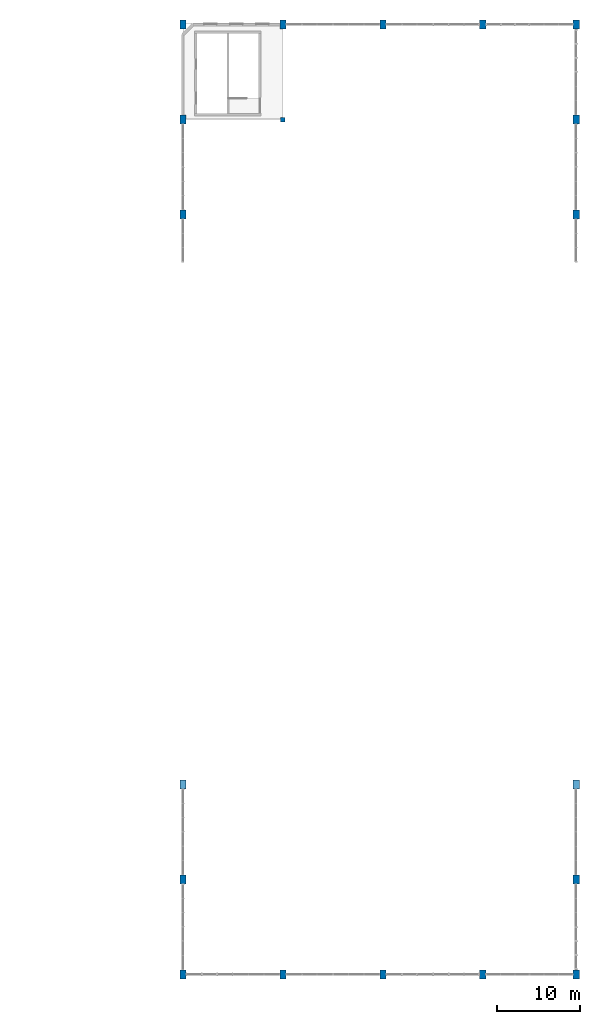
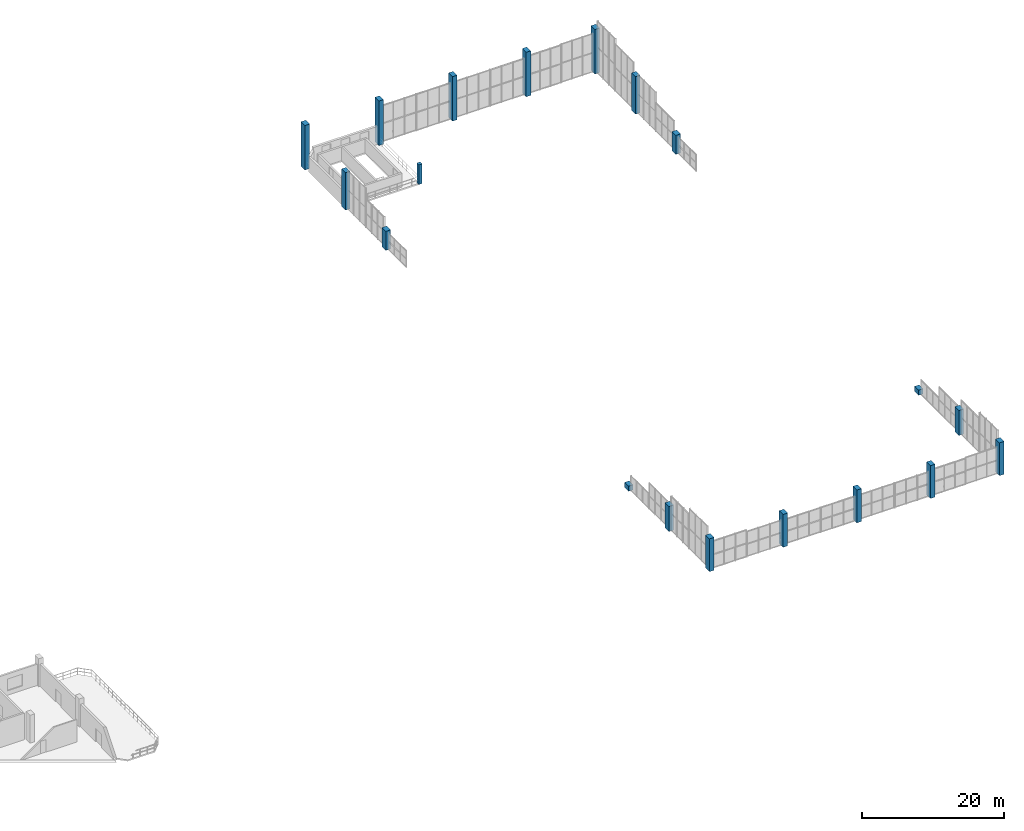
# One storey, part 3 of 28: 19 columns.
"""IFC4 building model written with IfcOpenShell, lengths in metres."""

import ifcopenshell
import ifcopenshell.guid

model = None  # the IFC model being written
_history = None  # IfcOwnerHistory: only IFC2X3 demands one
_inside = {}  # id of a spatial element -> (the spatial element, [elements in it])
_under = {}  # id of a project, library or spatial element -> (it, [spatial elements below it])
_declared = {}  # id of a project -> (the project, [libraries it declares])
_typed = {}  # id of a type object -> (the type object, [elements of that type])
_made_of = {}  # id of a material, layer set ... -> (it, [elements and type objects made of it])


def new_model(schema):
    """Start an empty IFC model of exactly this schema.

    Asked for "IFC4X3", IfcOpenShell would pick the latest addendum, in which some entities
    have other attributes; the version numbers below select the first issue.
    IFC2X3 requires an IfcOwnerHistory on every rooted entity: one is made here for all.
    """
    global model, _history
    if schema == "IFC4X3":
        model = ifcopenshell.file(schema_version=(4, 3, 0, 0))
    else:
        model = ifcopenshell.file(schema=schema)
    _inside.clear()
    _under.clear()
    _declared.clear()
    _typed.clear()
    _made_of.clear()
    _history = None
    if model.schema == "IFC2X3":
        org = make("IfcOrganization", Name="unknown")
        user = make(
            "IfcPersonAndOrganization",
            ThePerson=make("IfcPerson", FamilyName="unknown"),
            TheOrganization=org,
        )
        app = make(
            "IfcApplication",
            ApplicationDeveloper=org,
            Version="unknown",
            ApplicationFullName="unknown",
            ApplicationIdentifier="unknown",
        )
        _history = make(
            "IfcOwnerHistory",
            OwningUser=user,
            OwningApplication=app,
            ChangeAction="ADDED",
            CreationDate=0,
        )
    return model


def make(cls, **values):
    """One entity of the class cls with the attributes given. An attribute that is None is left unset."""
    return model.create_entity(
        cls, **{name: value for name, value in values.items() if value is not None}
    )


def rooted(cls, **values):
    """An entity with a GlobalId (a new one), such as an element, a storey or a relation."""
    return make(cls, GlobalId=ifcopenshell.guid.new(), OwnerHistory=_history, **values)


def si_unit(unit_type, name, prefix=None):
    """IfcSIUnit, for example si_unit("LENGTHUNIT", "METRE", prefix="MILLI")."""
    return make("IfcSIUnit", UnitType=unit_type, Prefix=prefix, Name=name)


def assignment(units):
    """IfcUnitAssignment: the units of a project."""
    return None if units is None else make("IfcUnitAssignment", Units=units)


def point(xyz):
    """IfcCartesianPoint."""
    return None if xyz is None else make("IfcCartesianPoint", Coordinates=xyz)


def direction(xyz):
    """IfcDirection."""
    return None if xyz is None else make("IfcDirection", DirectionRatios=xyz)


def frame(location, z_axis=None, x_axis=None):
    """IfcAxis2Placement3D, a coordinate frame: its origin and axes. An axis left out is left unset."""
    return make(
        "IfcAxis2Placement3D",
        Location=point(location),
        Axis=direction(z_axis),
        RefDirection=direction(x_axis),
    )


def frame_2d(location, x_axis=None):
    """IfcAxis2Placement2D, a coordinate frame in the plane: its origin and x axis."""
    return make(
        "IfcAxis2Placement2D", Location=point(location), RefDirection=direction(x_axis)
    )


def origin():
    """The frame at (0, 0, 0) with its axes left unset."""
    return frame((0.0, 0.0, 0.0))


def origin_2d():
    """The frame at (0, 0) in the plane with its x axis left unset."""
    return frame_2d((0.0, 0.0))


def place(relative_to, where):
    """IfcLocalPlacement: puts the frame where relative to a parent placement (None: the world)."""
    return make(
        "IfcLocalPlacement", PlacementRelTo=relative_to, RelativePlacement=where
    )


def context(
    kind, dimensions, precision=None, world=None, true_north=None, identifier=None
):
    """IfcGeometricRepresentationContext, for example the 3D "Model" context."""
    return make(
        "IfcGeometricRepresentationContext",
        ContextIdentifier=identifier,
        ContextType=kind,
        CoordinateSpaceDimension=dimensions,
        Precision=precision,
        WorldCoordinateSystem=world,
        TrueNorth=true_north,
    )


def subcontext(parent, identifier, kind, view, scale=None):
    """IfcGeometricRepresentationSubContext, for example "Body" below "Model"."""
    return make(
        "IfcGeometricRepresentationSubContext",
        ContextIdentifier=identifier,
        ContextType=kind,
        ParentContext=parent,
        TargetScale=scale,
        TargetView=view,
    )


def project(units=None, contexts=None):
    """IfcProject with its units and contexts."""
    return rooted(
        "IfcProject",
        Name="project",
        RepresentationContexts=contexts,
        UnitsInContext=assignment(units),
    )


def spatial(cls, under=None, at=None, **own):
    """A site, building, storey or space (cls), placed at a placement, below another one or the project."""
    s = rooted(cls, ObjectPlacement=at, **own)
    if under is not None:
        _under.setdefault(under.id(), (under, []))[1].append(s)
    return s


def profile(cls, at=None, kind="AREA", **sizes):
    """A parametric profile (cls). Its sizes go by their IFC names, for example OverallWidth=200.0."""
    return make(cls, ProfileType=kind, Position=at, **sizes)


def rectangle(**sizes):
    """IfcRectangleProfileDef."""
    return profile("IfcRectangleProfileDef", **sizes)


def extrude(swept, where, along, depth):
    """IfcExtrudedAreaSolid: the profile swept, set in the frame where, extruded along a direction by depth."""
    return make(
        "IfcExtrudedAreaSolid",
        SweptArea=swept,
        Position=where,
        ExtrudedDirection=direction(along),
        Depth=depth,
    )


def shape(context_of_items, identifier, shape_type, items):
    """IfcShapeRepresentation: the items that make up one representation, for example the "Body"."""
    return make(
        "IfcShapeRepresentation",
        ContextOfItems=context_of_items,
        RepresentationIdentifier=identifier,
        RepresentationType=shape_type,
        Items=items,
    )


def material(Name=None, Category=None):
    """IfcMaterial."""
    return make("IfcMaterial", Name=Name, Category=Category)


def material_profile(
    of_material, cross_section, Name=None, Category=None, Priority=None
):
    """IfcMaterialProfile: a cross section and its material."""
    return make(
        "IfcMaterialProfile",
        Name=Name,
        Material=of_material,
        Profile=cross_section,
        Priority=Priority,
        Category=Category,
    )


def profile_set(profiles, Name=None, composite=None):
    """IfcMaterialProfileSet."""
    return make(
        "IfcMaterialProfileSet",
        Name=Name,
        MaterialProfiles=profiles,
        CompositeProfile=composite,
    )


def made_of(thing, what):
    """Note that an element or type object is made of a material, layer set ...; save() writes the relation."""
    if what is not None:
        _made_of.setdefault(what.id(), (what, []))[1].append(thing)
    return thing


def type_object(cls, material=None, **own):
    """A type object (cls), such as IfcWallType, which elements share."""
    return made_of(rooted(cls, **own), material)


def element(
    cls,
    number,
    at=None,
    inside=None,
    cuts=None,
    type_object=None,
    material=None,
    context=None,
    identifier="Body",
    shape_type=None,
    held_by="IfcProductDefinitionShape",
    body=None,
    shapes=None,
    **own,
):
    """One element of the class cls, such as IfcWall. Its Tag is "e" and its number.

    at: its placement. inside: the storey or other place that contains it. cuts: it is an
    opening in that element (IfcRelVoidsElement). A single representation is given by context,
    identifier, shape_type and body (its items); several are given by shapes. held_by: the class
    of the entity that holds the representations. save() writes the other relations.
    """
    e = rooted(cls, Tag="e%d" % number, ObjectPlacement=at, **own)
    if body is not None:
        shapes = [shape(context, identifier, shape_type, body)]
    if shapes is not None:
        e.Representation = make(held_by, Representations=shapes)
    if inside is not None:
        _inside.setdefault(inside.id(), (inside, []))[1].append(e)
    if cuts is not None:
        rooted(
            "IfcRelVoidsElement", RelatingBuildingElement=cuts, RelatedOpeningElement=e
        )
    if type_object is not None:
        _typed.setdefault(type_object.id(), (type_object, []))[1].append(e)
    return made_of(e, material)


def aggregate(whole, parts):
    """IfcRelAggregates: a whole, such as a stair, and the parts it consists of."""
    return rooted("IfcRelAggregates", RelatingObject=whole, RelatedObjects=parts)


def save(model, path):
    """Write the relations noted so far, then the file.

    IfcRelAggregates (storeys below a building ...), IfcRelContainedInSpatialStructure (elements
    in a storey), IfcRelDefinesByType, IfcRelAssociatesMaterial and IfcRelDeclares: one each for
    every whole, place, type object, material and project.
    """
    for whole, parts in _under.values():
        aggregate(whole, parts)
    for where, things in _inside.values():
        rooted(
            "IfcRelContainedInSpatialStructure",
            RelatedElements=things,
            RelatingStructure=where,
        )
    for kind, things in _typed.values():
        rooted("IfcRelDefinesByType", RelatedObjects=things, RelatingType=kind)
    for what, things in _made_of.values():
        rooted("IfcRelAssociatesMaterial", RelatedObjects=things, RelatingMaterial=what)
    for by, libraries in _declared.values():
        rooted("IfcRelDeclares", RelatingContext=by, RelatedDefinitions=libraries)
    model.write(path)


model = new_model("IFC4")

# Units and contexts
model_context = context("Model", 3, precision=1e-05, world=origin(), true_north=direction((0.0, 1.0)))
body_context = subcontext(model_context, "Body", "Model", "MODEL_VIEW")
ifc_project = project(units=[si_unit("LENGTHUNIT", "METRE"), si_unit("AREAUNIT", "SQUARE_METRE"), si_unit("VOLUMEUNIT", "CUBIC_METRE"), si_unit("PLANEANGLEUNIT", "RADIAN"), si_unit("MASSUNIT", "GRAM", prefix="KILO"), si_unit("POWERUNIT", "WATT"), si_unit("THERMODYNAMICTEMPERATUREUNIT", "KELVIN")], contexts=[model_context])

# Site, building, storey
site_placement = place(None, origin())
site = spatial("IfcSite", under=ifc_project, at=site_placement, CompositionType="ELEMENT")
building_placement = place(site_placement, origin())
building = spatial("IfcBuilding", under=site, at=building_placement, Name="Kelmbourne Parkland Aquatics Centre", CompositionType="ELEMENT")
storey_placement = place(building_placement, frame((0.0, 0.0, 19.199951171875)))
storey = spatial("IfcBuildingStorey", under=building, at=storey_placement, Name="L04", CompositionType="ELEMENT", Elevation=19.199951171875)

# Columns
ifc_material = material(Name="Concrete C40/50", Category="concrete")
ifc_material_profile_1 = material_profile(ifc_material, rectangle(XDim=0.75, YDim=1.10009765625, at=origin_2d()), Name="RC 750x1100")
ifc_profile_set_1 = profile_set([ifc_material_profile_1], Name="Concrete C40/50")
column_type_1 = type_object("IfcColumnType", Name="COL-C03", PredefinedType="COLUMN", material=ifc_profile_set_1)
column_1_placement = place(storey_placement, frame((128.0, 0.800048828125, 0.0), z_axis=(0.0, 0.0, 1.0), x_axis=(1.0, 0.0, 0.0)))
element("IfcColumn", 1, at=column_1_placement, inside=storey, type_object=column_type_1, Name="Structural column P-01 (L04)", PredefinedType="COLUMN", context=body_context, shape_type="SweptSolid", body=[
    extrude(rectangle(XDim=0.75, YDim=1.10009765625, at=origin_2d()), origin(), (0.0, 0.0, 1.0), 5.650146484375),
])
column_2_placement = place(storey_placement, frame((128.0, 12.199951171875, 0.0), z_axis=(0.0, 0.0, 1.0), x_axis=(1.0, 0.0, 0.0)))
element("IfcColumn", 2, at=column_2_placement, inside=storey, type_object=column_type_1, Name="Structural column P-03 (L04)", PredefinedType="COLUMN", context=body_context, shape_type="SweptSolid", body=[
    extrude(rectangle(XDim=0.75, YDim=1.10009765625, at=origin_2d()), origin(), (0.0, 0.0, 1.0), 4.3193359375),
])
column_3_placement = place(storey_placement, frame((128.0, 23.60009765625, 0.0), z_axis=(0.0, 0.0, 1.0), x_axis=(1.0, 0.0, 0.0)))
element("IfcColumn", 3, at=column_3_placement, inside=storey, type_object=column_type_1, Name="Structural column P-04 (L04)", PredefinedType="COLUMN", context=body_context, shape_type="SweptSolid", body=[
    extrude(rectangle(XDim=0.75, YDim=1.10009765625, at=origin_2d()), origin(), (0.0, 0.0, 1.0), 0.907470703125),
])
column_4_placement = place(storey_placement, frame((128.0, 92.0, 0.0), z_axis=(0.0, 0.0, 1.0), x_axis=(1.0, 0.0, 0.0)))
element("IfcColumn", 4, at=column_4_placement, inside=storey, type_object=column_type_1, Name="Structural column P-12 (L04)", PredefinedType="COLUMN", context=body_context, shape_type="SweptSolid", body=[
    extrude(rectangle(XDim=0.75, YDim=1.10009765625, at=origin_2d()), origin(), (0.0, 0.0, 1.0), 3.26708984375),
])
column_5_placement = place(storey_placement, frame((128.0, 103.39990234375, 0.0), z_axis=(0.0, 0.0, 1.0), x_axis=(1.0, 0.0, 0.0)))
element("IfcColumn", 5, at=column_5_placement, inside=storey, type_object=column_type_1, Name="Structural column P-13 (L04)", PredefinedType="COLUMN", context=body_context, shape_type="SweptSolid", body=[
    extrude(rectangle(XDim=0.75, YDim=1.10009765625, at=origin_2d()), origin(), (0.0, 0.0, 1.0), 6.453369140625),
])
column_6_placement = place(storey_placement, frame((128.0, 114.800048828125, 0.0), z_axis=(0.0, 0.0, 1.0), x_axis=(1.0, 0.0, 0.0)))
element("IfcColumn", 6, at=column_6_placement, inside=storey, type_object=column_type_1, Name="Structural column P-14 (L04)", PredefinedType="COLUMN", context=body_context, shape_type="SweptSolid", body=[
    extrude(rectangle(XDim=0.75, YDim=1.10009765625, at=origin_2d()), origin(), (0.0, 0.0, 1.0), 7.650146484375),
])
column_7_placement = place(storey_placement, frame((140.0, 0.800048828125, 0.0), z_axis=(0.0, 0.0, 1.0), x_axis=(1.0, 0.0, 0.0)))
element("IfcColumn", 7, at=column_7_placement, inside=storey, type_object=column_type_1, Name="Structural column Q-01 (L04)", PredefinedType="COLUMN", context=body_context, shape_type="SweptSolid", body=[
    extrude(rectangle(XDim=0.75, YDim=1.10009765625, at=origin_2d()), origin(), (0.0, 0.0, 1.0), 5.650146484375),
])
column_8_placement = place(storey_placement, frame((140.0, 114.800048828125, 0.0), z_axis=(0.0, 0.0, 1.0), x_axis=(1.0, 0.0, 0.0)))
element("IfcColumn", 8, at=column_8_placement, inside=storey, type_object=column_type_1, Name="Structural column Q-14 (L04)", PredefinedType="COLUMN", context=body_context, shape_type="SweptSolid", body=[
    extrude(rectangle(XDim=0.75, YDim=1.10009765625, at=origin_2d()), origin(), (0.0, 0.0, 1.0), 7.650146484375),
])
column_9_placement = place(storey_placement, frame((152.0, 0.800048828125, 0.0), z_axis=(0.0, 0.0, 1.0), x_axis=(1.0, 0.0, 0.0)))
element("IfcColumn", 9, at=column_9_placement, inside=storey, type_object=column_type_1, Name="Structural column R-01 (L04)", PredefinedType="COLUMN", context=body_context, shape_type="SweptSolid", body=[
    extrude(rectangle(XDim=0.75, YDim=1.10009765625, at=origin_2d()), origin(), (0.0, 0.0, 1.0), 5.650146484375),
])
column_10_placement = place(storey_placement, frame((152.0, 114.800048828125, 0.0), z_axis=(0.0, 0.0, 1.0), x_axis=(1.0, 0.0, 0.0)))
element("IfcColumn", 10, at=column_10_placement, inside=storey, type_object=column_type_1, Name="Structural column R-14 (L04)", PredefinedType="COLUMN", context=body_context, shape_type="SweptSolid", body=[
    extrude(rectangle(XDim=0.75, YDim=1.10009765625, at=origin_2d()), origin(), (0.0, 0.0, 1.0), 7.650146484375),
])
column_11_placement = place(storey_placement, frame((164.0, 0.800048828125, 0.0), z_axis=(0.0, 0.0, 1.0), x_axis=(1.0, 0.0, 0.0)))
element("IfcColumn", 11, at=column_11_placement, inside=storey, type_object=column_type_1, Name="Structural column S-01 (L04)", PredefinedType="COLUMN", context=body_context, shape_type="SweptSolid", body=[
    extrude(rectangle(XDim=0.75, YDim=1.10009765625, at=origin_2d()), origin(), (0.0, 0.0, 1.0), 5.650146484375),
])
column_12_placement = place(storey_placement, frame((164.0, 114.800048828125, 0.0), z_axis=(0.0, 0.0, 1.0), x_axis=(1.0, 0.0, 0.0)))
element("IfcColumn", 12, at=column_12_placement, inside=storey, type_object=column_type_1, Name="Structural column S-14 (L04)", PredefinedType="COLUMN", context=body_context, shape_type="SweptSolid", body=[
    extrude(rectangle(XDim=0.75, YDim=1.10009765625, at=origin_2d()), origin(), (0.0, 0.0, 1.0), 7.650146484375),
])
column_13_placement = place(storey_placement, frame((175.199951171875, 0.800048828125, 0.0), z_axis=(0.0, 0.0, 1.0), x_axis=(1.0, 0.0, 0.0)))
element("IfcColumn", 13, at=column_13_placement, inside=storey, type_object=column_type_1, Name="Structural column T-01 (L04)", PredefinedType="COLUMN", context=body_context, shape_type="SweptSolid", body=[
    extrude(rectangle(XDim=0.75, YDim=1.10009765625, at=origin_2d()), origin(), (0.0, 0.0, 1.0), 5.650146484375),
])
column_14_placement = place(storey_placement, frame((175.199951171875, 12.199951171875, 0.0), z_axis=(0.0, 0.0, 1.0), x_axis=(1.0, 0.0, 0.0)))
element("IfcColumn", 14, at=column_14_placement, inside=storey, type_object=column_type_1, Name="Structural column T-03 (L04)", PredefinedType="COLUMN", context=body_context, shape_type="SweptSolid", body=[
    extrude(rectangle(XDim=0.75, YDim=1.10009765625, at=origin_2d()), origin(), (0.0, 0.0, 1.0), 4.3193359375),
])
column_15_placement = place(storey_placement, frame((175.199951171875, 23.60009765625, 0.0), z_axis=(0.0, 0.0, 1.0), x_axis=(1.0, 0.0, 0.0)))
element("IfcColumn", 15, at=column_15_placement, inside=storey, type_object=column_type_1, Name="Structural column T-04 (L04)", PredefinedType="COLUMN", context=body_context, shape_type="SweptSolid", body=[
    extrude(rectangle(XDim=0.75, YDim=1.10009765625, at=origin_2d()), origin(), (0.0, 0.0, 1.0), 0.907470703125),
])
column_16_placement = place(storey_placement, frame((175.199951171875, 92.0, 0.0), z_axis=(0.0, 0.0, 1.0), x_axis=(1.0, 0.0, 0.0)))
element("IfcColumn", 16, at=column_16_placement, inside=storey, type_object=column_type_1, Name="Structural column T-12 (L04)", PredefinedType="COLUMN", context=body_context, shape_type="SweptSolid", body=[
    extrude(rectangle(XDim=0.75, YDim=1.10009765625, at=origin_2d()), origin(), (0.0, 0.0, 1.0), 3.26708984375),
])
column_17_placement = place(storey_placement, frame((175.199951171875, 103.39990234375, 0.0), z_axis=(0.0, 0.0, 1.0), x_axis=(1.0, 0.0, 0.0)))
element("IfcColumn", 17, at=column_17_placement, inside=storey, type_object=column_type_1, Name="Structural column T-13 (L04)", PredefinedType="COLUMN", context=body_context, shape_type="SweptSolid", body=[
    extrude(rectangle(XDim=0.75, YDim=1.10009765625, at=origin_2d()), origin(), (0.0, 0.0, 1.0), 6.453369140625),
])
column_18_placement = place(storey_placement, frame((175.199951171875, 114.800048828125, 0.0), z_axis=(0.0, 0.0, 1.0), x_axis=(1.0, 0.0, 0.0)))
element("IfcColumn", 18, at=column_18_placement, inside=storey, type_object=column_type_1, Name="Structural column T-14 (L04)", PredefinedType="COLUMN", context=body_context, shape_type="SweptSolid", body=[
    extrude(rectangle(XDim=0.75, YDim=1.10009765625, at=origin_2d()), origin(), (0.0, 0.0, 1.0), 7.650146484375),
])
ifc_material_profile_2 = material_profile(ifc_material, rectangle(XDim=0.550048828125, YDim=0.550048828125, at=origin_2d()), Name="RC 550x550")
ifc_profile_set_2 = profile_set([ifc_material_profile_2], Name="Concrete C40/50")
column_type_2 = type_object("IfcColumnType", Name="COL-C07", PredefinedType="COLUMN", material=ifc_profile_set_2)
column_19_placement = place(storey_placement, frame((140.0, 103.39990234375, 0.0), z_axis=(0.0, 0.0, 1.0), x_axis=(1.0, 0.0, 0.0)))
element("IfcColumn", 19, at=column_19_placement, inside=storey, type_object=column_type_2, Name="Structural column Q-13 (L04)", PredefinedType="COLUMN", context=body_context, shape_type="SweptSolid", body=[
    extrude(rectangle(XDim=0.550048828125, YDim=0.550048828125, at=origin_2d()), origin(), (0.0, 0.0, 1.0), 3.400146484375),
])

save(model, "model.ifc")
